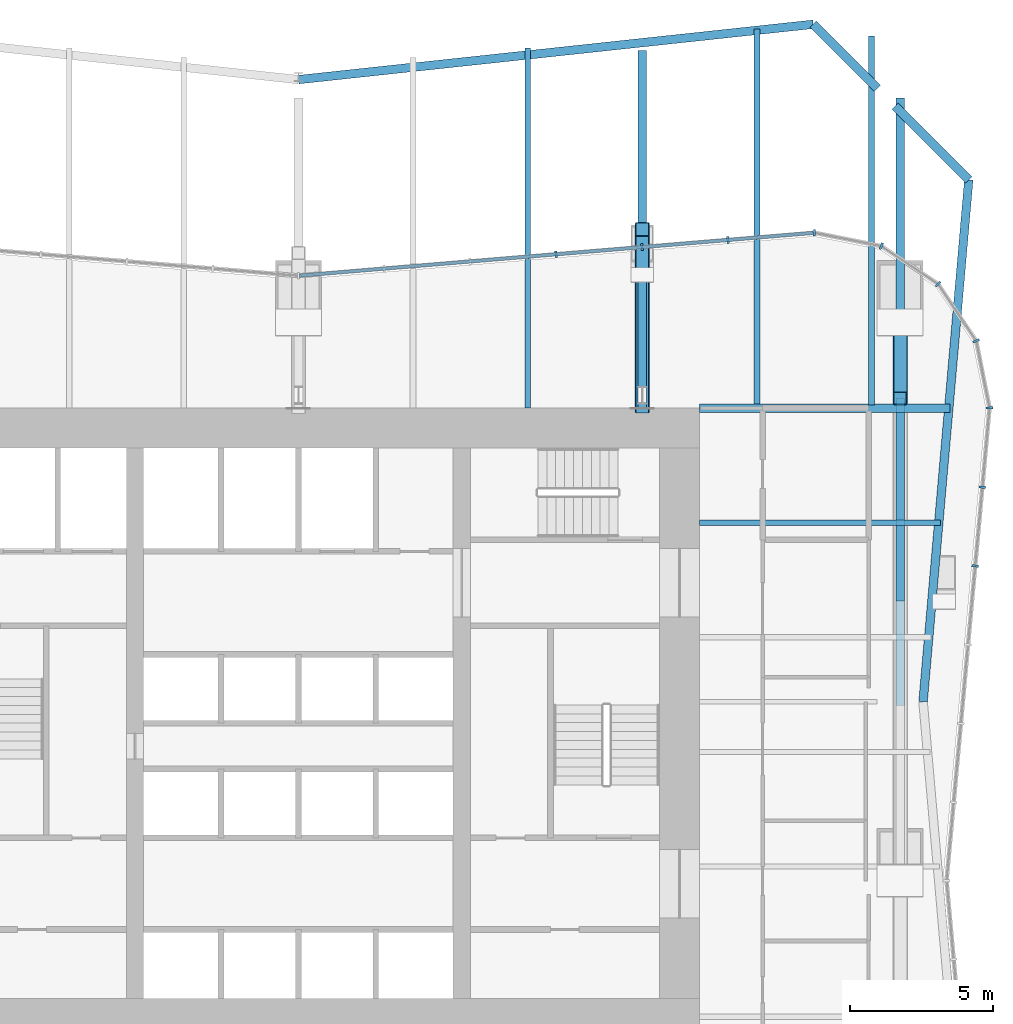
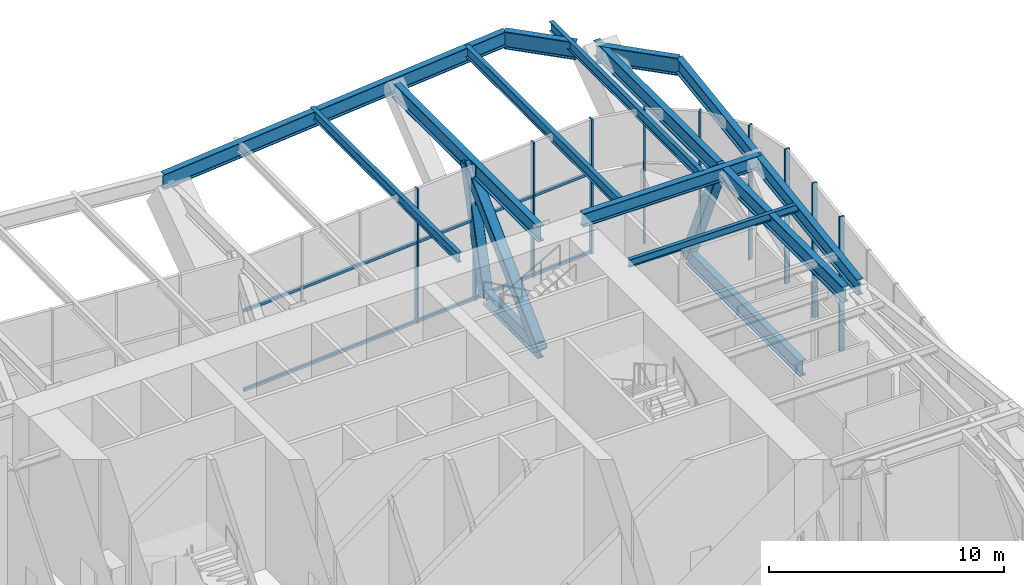
# One storey, part 9 of 17: 20 members, 9 beams, 3 elements without a shape of their own.
"""IFC4 building model written with IfcOpenShell, lengths in metres."""

from ifc_helpers import new_model, si_unit, direction, frame, origin, origin_2d, place, context, subcontext, project, spatial, rectangle, hollow_rectangle, i_section, extrude, material, material_profile, profile_set, type_object, element, aggregate, save


model = new_model("IFC4")

# Units and contexts
model_context = context("Model", 3, precision=1e-05, world=origin(), true_north=direction((0.0, 1.0)))
body_context = subcontext(model_context, "Body", "Model", "MODEL_VIEW")
ifc_project = project(units=[si_unit("LENGTHUNIT", "METRE"), si_unit("AREAUNIT", "SQUARE_METRE"), si_unit("VOLUMEUNIT", "CUBIC_METRE"), si_unit("PLANEANGLEUNIT", "RADIAN"), si_unit("MASSUNIT", "GRAM", prefix="KILO")], contexts=[model_context])

# Site, building, storey
site_placement = place(None, origin())
site = spatial("IfcSite", under=ifc_project, at=site_placement, CompositionType="ELEMENT")
building_placement = place(site_placement, origin())
building = spatial("IfcBuilding", under=site, at=building_placement, Name="Verdant Reach Tower", CompositionType="ELEMENT")
storey_placement = place(building_placement, frame((0.0, 0.0, 58.0)))
storey = spatial("IfcBuildingStorey", under=building, at=storey_placement, Name="L13 Plant", CompositionType="ELEMENT", Elevation=58.0)

# Curtain wall, members
ifc_material_1 = material(Name="Anodised aluminium", Category="aluminium")
curtain_wall_type = type_object("IfcCurtainWallType", Name="EN-CW SYSTEM PLANT", PredefinedType="NOTDEFINED", material=ifc_material_1)
curtain_wall_1_placement = place(storey_placement, origin())
curtain_wall_1 = element("IfcCurtainWall", 1, at=curtain_wall_1_placement, inside=storey, type_object=curtain_wall_type, Name="Curtain wall east, L13", PredefinedType="NOTDEFINED")
ifc_material_profile_1 = material_profile(ifc_material_1, rectangle(XDim=0.238037109375, YDim=0.080078125, at=origin_2d()), Name="Mullion 80x240")
ifc_profile_set_1 = profile_set([ifc_material_profile_1], Name="Anodised aluminium")
member_type_1 = type_object("IfcMemberType", Name="EN-MULLION PLANT", PredefinedType="MULLION", material=ifc_profile_set_1)
member_1_placement = place(storey_placement, frame((23.618408203125, 33.4892578125, -0.35009765625), z_axis=(0.0, 0.0, 1.0), x_axis=(0.995893206467, -0.090535746047, 0.0)))
member_1 = element("IfcMember", 2, at=member_1_placement, type_object=member_type_1, Name="Mullion east face part 2 5, L13", PredefinedType="MULLION", context=body_context, shape_type="SweptSolid", body=[
    extrude(rectangle(XDim=0.238037109375, YDim=0.080078125, at=origin_2d()), origin(), (0.0, 0.0, 1.0), 7.0),
])
member_2_placement = place(storey_placement, frame((23.868408203125, 36.2392578125, -0.35009765625), z_axis=(0.0, 0.0, 1.0), x_axis=(0.995893206467, -0.090535746047, 0.0)))
member_2 = element("IfcMember", 3, at=member_2_placement, type_object=member_type_1, Name="Mullion east face part 2 6, L13", PredefinedType="MULLION", context=body_context, shape_type="SweptSolid", body=[
    extrude(rectangle(XDim=0.238037109375, YDim=0.080078125, at=origin_2d()), origin(), (0.0, 0.0, 1.0), 7.0),
])
aggregate(curtain_wall_1, [member_1, member_2])

curtain_wall_2_placement = place(storey_placement, origin())
curtain_wall_2 = element("IfcCurtainWall", 4, at=curtain_wall_2_placement, inside=storey, type_object=curtain_wall_type, Name="Curtain wall north-east corner, L13", PredefinedType="NOTDEFINED")
member_3_placement = place(storey_placement, frame((24.118896484375, 39.00634765625, -0.35009765625), z_axis=(0.0, 0.0, 1.0), x_axis=(0.998604288049, 0.052815489107, 0.0)))
member_3 = element("IfcMember", 5, at=member_3_placement, type_object=member_type_1, Name="Mullion north-east corner 1, L13", PredefinedType="MULLION", context=body_context, shape_type="SweptSolid", body=[
    extrude(rectangle(XDim=0.238037109375, YDim=0.080078125, at=origin_2d()), origin(), (0.0, 0.0, 1.0), 7.0),
])
member_4_placement = place(storey_placement, frame((23.6533203125, 41.341552734375, -0.35009765625), z_axis=(0.0, 0.0, 1.0), x_axis=(0.923875215753, 0.382693853776, 0.0)))
member_4 = element("IfcMember", 6, at=member_4_placement, type_object=member_type_1, Name="Mullion north-east corner 2, L13", PredefinedType="MULLION", context=body_context, shape_type="SweptSolid", body=[
    extrude(rectangle(XDim=0.238037109375, YDim=0.080078125, at=origin_2d()), origin(), (0.0, 0.0, 1.0), 7.0),
])
member_5_placement = place(storey_placement, frame((22.32666015625, 43.32666015625, -0.35009765625), z_axis=(0.0, 0.0, 1.0), x_axis=(0.707106781187, 0.707106781187, 0.0)))
member_5 = element("IfcMember", 7, at=member_5_placement, type_object=member_type_1, Name="Mullion north-east corner 3, L13", PredefinedType="MULLION", context=body_context, shape_type="SweptSolid", body=[
    extrude(rectangle(XDim=0.238037109375, YDim=0.080078125, at=origin_2d()), origin(), (0.0, 0.0, 1.0), 7.0),
])
member_6_placement = place(storey_placement, frame((20.341552734375, 44.6533203125, -0.35009765625), z_axis=(0.0, 0.0, 1.0), x_axis=(0.382693853776, 0.923875215753, 0.0)))
member_6 = element("IfcMember", 8, at=member_6_placement, type_object=member_type_1, Name="Mullion north-east corner 4, L13", PredefinedType="MULLION", context=body_context, shape_type="SweptSolid", body=[
    extrude(rectangle(XDim=0.238037109375, YDim=0.080078125, at=origin_2d()), origin(), (0.0, 0.0, 1.0), 7.0),
])
aggregate(curtain_wall_2, [member_3, member_4, member_5, member_6])

curtain_wall_3_placement = place(storey_placement, origin())
curtain_wall_3 = element("IfcCurtainWall", 9, at=curtain_wall_3_placement, inside=storey, type_object=curtain_wall_type, Name="Curtain wall north, L13", PredefinedType="NOTDEFINED")
member_7_placement = place(storey_placement, frame((18.0068359375, 45.118896484375, -0.35009765625), z_axis=(0.0, 0.0, 1.0), x_axis=(0.056569187765, 0.998398681387, 0.0)))
member_7 = element("IfcMember", 10, at=member_7_placement, type_object=member_type_1, Name="Mullion north face part 1 1, L13", PredefinedType="MULLION", context=body_context, shape_type="SweptSolid", body=[
    extrude(rectangle(XDim=0.238037109375, YDim=0.080078125, at=origin_2d()), origin(), (0.0, 0.0, 1.0), 7.0),
])
member_8_placement = place(storey_placement, frame((14.990234375, 44.86865234375, -0.35009765625), z_axis=(0.0, 0.0, 1.0), x_axis=(-0.083045479859, 0.996545758244, 0.0)))
member_8 = element("IfcMember", 11, at=member_8_placement, type_object=member_type_1, Name="Mullion north face part 1 2, L13", PredefinedType="MULLION", context=body_context, shape_type="SweptSolid", body=[
    extrude(rectangle(XDim=0.238037109375, YDim=0.080078125, at=origin_2d()), origin(), (0.0, 0.0, 1.0), 7.0),
])
member_9_placement = place(storey_placement, frame((11.990234375, 44.61865234375, -0.35009765625), z_axis=(0.0, 0.0, 1.0), x_axis=(-0.083045479859, 0.996545758244, 0.0)))
member_9 = element("IfcMember", 12, at=member_9_placement, type_object=member_type_1, Name="Mullion north face part 1 3, L13", PredefinedType="MULLION", context=body_context, shape_type="SweptSolid", body=[
    extrude(rectangle(XDim=0.238037109375, YDim=0.080078125, at=origin_2d()), origin(), (0.0, 0.0, 1.0), 7.0),
])
member_10_placement = place(storey_placement, frame((8.990234375, 44.36865234375, -0.35009765625), z_axis=(0.0, 0.0, 1.0), x_axis=(-0.083045479859, 0.996545758244, 0.0)))
member_10 = element("IfcMember", 13, at=member_10_placement, type_object=member_type_1, Name="Mullion north face part 1 4, L13", PredefinedType="MULLION", context=body_context, shape_type="SweptSolid", body=[
    extrude(rectangle(XDim=0.238037109375, YDim=0.080078125, at=origin_2d()), origin(), (0.0, 0.0, 1.0), 7.0),
])
ifc_material_profile_2 = material_profile(ifc_material_1, rectangle(XDim=0.1201171875, YDim=0.14990234375, at=origin_2d()), Name="Transom 150x120")
ifc_profile_set_2 = profile_set([ifc_material_profile_2], Name="Anodised aluminium")
member_type_2 = type_object("IfcMemberType", Name="EN-TRANSOM PLANT", PredefinedType="USERDEFINED", material=ifc_profile_set_2)
member_11_placement = place(storey_placement, frame((17.966796875, 45.115478515625, -0.27490234375), z_axis=(-0.996549220477, -0.083003922598, 0.0), x_axis=(0.083003922598, -0.996549220477, 0.0)))
member_11 = element("IfcMember", 14, at=member_11_placement, type_object=member_type_2, Name="Transom north face part 1 1.1, L13", ObjectType="TRANSOM", PredefinedType="USERDEFINED", context=body_context, shape_type="SweptSolid", body=[
    extrude(rectangle(XDim=0.1201171875, YDim=0.14990234375, at=origin_2d()), origin(), (0.0, 0.0, 1.0), 17.989013671875),
])
member_12_placement = place(storey_placement, frame((17.966796875, 45.115478515625, 3.85009765625), z_axis=(-0.996549220477, -0.083003922598, 0.0), x_axis=(0.083003922598, -0.996549220477, 0.0)))
member_12 = element("IfcMember", 15, at=member_12_placement, type_object=member_type_2, Name="Transom north face part 1 1.2, L13", ObjectType="TRANSOM", PredefinedType="USERDEFINED", context=body_context, shape_type="SweptSolid", body=[
    extrude(rectangle(XDim=0.1201171875, YDim=0.14990234375, at=origin_2d()), origin(), (0.0, 0.0, 1.0), 17.989013671875),
])
aggregate(curtain_wall_3, [member_7, member_8, member_9, member_10, member_11, member_12])

# Beams
ifc_material_2 = material(Name="Steel S355", Category="steel")
ifc_material_profile_3 = material_profile(ifc_material_2, i_section(OverallWidth=0.300048828125, OverallDepth=0.699951171875, WebThickness=0.01708984375, FlangeThickness=0.031982421875, FilletRadius=0.027099609375, at=origin_2d()), Name="HEB 700")
ifc_profile_set_3 = profile_set([ifc_material_profile_3], Name="Steel S355")
beam_type_1 = type_object("IfcBeamType", Name="ST-BEAM-HEB700", PredefinedType="BEAM", material=ifc_profile_set_3)
beam_1_placement = place(storey_placement, frame((14.0, 39.0, 6.52001953125), z_axis=(1.0, 0.0, 0.0), x_axis=(0.0, 1.0, 0.0)))
element("IfcBeam", 16, at=beam_1_placement, inside=storey, type_object=beam_type_1, Name="Trimmer beam, L13 Plant", PredefinedType="BEAM", context=body_context, shape_type="SweptSolid", body=[
    extrude(i_section(OverallWidth=0.300048828125, OverallDepth=0.699951171875, WebThickness=0.01708984375, FlangeThickness=0.031982421875, FilletRadius=0.027099609375, at=origin_2d()), origin(), (0.0, 0.0, 1.0), 8.740478515625),
])
ifc_material_profile_4 = material_profile(ifc_material_2, i_section(OverallWidth=0.179931640625, OverallDepth=0.39990234375, WebThickness=0.008544921875, FlangeThickness=0.013427734375, FilletRadius=0.02099609375, at=origin_2d()), Name="IPE 400")
ifc_profile_set_4 = profile_set([ifc_material_profile_4], Name="Steel S355")
beam_type_2 = type_object("IfcBeamType", Name="ST-JOIST-IPE400", PredefinedType="JOIST", material=ifc_profile_set_4)
beam_2_placement = place(storey_placement, frame((14.0, 35.0, 6.669921875), z_axis=(1.0, 0.0, 0.0), x_axis=(0.0, 1.0, 0.0)))
element("IfcBeam", 17, at=beam_2_placement, inside=storey, type_object=beam_type_2, Name="Floor joist, L13 Plant", PredefinedType="JOIST", context=body_context, shape_type="SweptSolid", body=[
    extrude(i_section(OverallWidth=0.179931640625, OverallDepth=0.39990234375, WebThickness=0.008544921875, FlangeThickness=0.013427734375, FilletRadius=0.02099609375, at=origin_2d()), origin(), (0.0, 0.0, 1.0), 8.41162109375),
])
ifc_material_profile_5 = material_profile(ifc_material_2, i_section(OverallWidth=0.199951171875, OverallDepth=0.5, WebThickness=0.01025390625, FlangeThickness=0.01611328125, FilletRadius=0.02099609375, at=origin_2d()), Name="IPE 500")
ifc_profile_set_5 = profile_set([ifc_material_profile_5], Name="Steel S355")
beam_type_3 = type_object("IfcBeamType", Name="ST-JOIST-IPE500", PredefinedType="JOIST", material=ifc_profile_set_5)
beam_3_placement = place(storey_placement, frame((8.0, 39.0, 6.6201171875), z_axis=(0.0, 1.0, 0.0), x_axis=(-1.0, 0.0, 0.0)))
element("IfcBeam", 18, at=beam_3_placement, inside=storey, type_object=beam_type_3, Name="Floor joist, L13 Plant", PredefinedType="JOIST", context=body_context, shape_type="SweptSolid", body=[
    extrude(i_section(OverallWidth=0.199951171875, OverallDepth=0.5, WebThickness=0.01025390625, FlangeThickness=0.01611328125, FilletRadius=0.02099609375, at=origin_2d()), origin(), (0.0, 0.0, 1.0), 12.564697265625),
])
beam_4_placement = place(storey_placement, frame((20.0, 39.10009765625, 6.6201171875), z_axis=(0.0, 1.0, 0.0), x_axis=(-1.0, 0.0, 0.0)))
element("IfcBeam", 19, at=beam_4_placement, inside=storey, type_object=beam_type_3, Name="Floor joist, L13 Plant", PredefinedType="JOIST", context=body_context, shape_type="SweptSolid", body=[
    extrude(i_section(OverallWidth=0.199951171875, OverallDepth=0.5, WebThickness=0.01025390625, FlangeThickness=0.01611328125, FilletRadius=0.02099609375, at=origin_2d()), origin(), (0.0, 0.0, 1.0), 12.890380859375),
])
ifc_material_profile_6 = material_profile(ifc_material_2, i_section(OverallWidth=0.2099609375, OverallDepth=0.550048828125, WebThickness=0.010986328125, FlangeThickness=0.01708984375, FilletRadius=0.02392578125, at=origin_2d()), Name="IPE 550")
ifc_profile_set_6 = profile_set([ifc_material_profile_6], Name="Steel S355")
beam_type_4 = type_object("IfcBeamType", Name="ST-JOIST-IPE550", PredefinedType="JOIST", material=ifc_profile_set_6)
beam_5_placement = place(storey_placement, frame((16.0, 39.10009765625, 6.594970703125), z_axis=(0.0, 1.0, 0.0), x_axis=(-1.0, 0.0, 0.0)))
element("IfcBeam", 20, at=beam_5_placement, inside=storey, type_object=beam_type_4, Name="Floor joist, L13 Plant", PredefinedType="JOIST", context=body_context, shape_type="SweptSolid", body=[
    extrude(i_section(OverallWidth=0.2099609375, OverallDepth=0.550048828125, WebThickness=0.010986328125, FlangeThickness=0.01708984375, FilletRadius=0.02392578125, at=origin_2d()), origin(), (0.0, 0.0, 1.0), 13.131103515625),
])
ifc_material_profile_7 = material_profile(ifc_material_2, i_section(OverallWidth=0.300048828125, OverallDepth=0.800048828125, WebThickness=0.017578125, FlangeThickness=0.032958984375, FilletRadius=0.030029296875, at=origin_2d()), Name="HEB 800")
ifc_profile_set_7 = profile_set([ifc_material_profile_7], Name="Steel S355")
beam_type_5 = type_object("IfcBeamType", Name="ST-SPANDREL-HEB800", PredefinedType="SPANDREL", material=ifc_profile_set_7)
beam_6_placement = place(storey_placement, frame((0.0, 50.464111328125, 6.469970703125), z_axis=(0.994273932726, 0.106861343343, 0.0), x_axis=(-0.106861343343, 0.994273932726, 0.0)))
element("IfcBeam", 21, at=beam_6_placement, inside=storey, type_object=beam_type_5, Name="Edge beam, L13 Plant", PredefinedType="SPANDREL", context=body_context, shape_type="SweptSolid", body=[
    extrude(i_section(OverallWidth=0.300048828125, OverallDepth=0.800048828125, WebThickness=0.017578125, FlangeThickness=0.032958984375, FilletRadius=0.030029296875, at=origin_2d()), origin(), (0.0, 0.0, 1.0), 18.0693359375),
])
beam_7_placement = place(storey_placement, frame((23.39501953125, 46.96533203125, 6.469970703125), z_axis=(-0.087228233643, -0.996188353302, 0.0), x_axis=(0.996188353302, -0.087228233643, 0.0)))
element("IfcBeam", 22, at=beam_7_placement, inside=storey, type_object=beam_type_5, Name="Edge beam, L13 Plant", PredefinedType="SPANDREL", context=body_context, shape_type="SweptSolid", body=[
    extrude(i_section(OverallWidth=0.300048828125, OverallDepth=0.800048828125, WebThickness=0.017578125, FlangeThickness=0.032958984375, FilletRadius=0.030029296875, at=origin_2d()), origin(), (0.0, 0.0, 1.0), 18.284912109375),
])
ifc_material_profile_8 = material_profile(ifc_material_2, i_section(OverallWidth=0.302001953125, OverallDepth=0.909912109375, WebThickness=0.02099609375, FlangeThickness=0.0400390625, FilletRadius=0.030029296875, at=origin_2d()), Name="HEM 900")
ifc_profile_set_8 = profile_set([ifc_material_profile_8], Name="Steel S355")
beam_type_6 = type_object("IfcBeamType", Name="ST-SPANDREL-HEM900", PredefinedType="SPANDREL", material=ifc_profile_set_8)
beam_8_placement = place(storey_placement, frame((17.9658203125, 52.39501953125, 6.4150390625), z_axis=(0.70706814675, -0.707145413513, 0.0), x_axis=(0.707145413513, 0.70706814675, 0.0)))
element("IfcBeam", 23, at=beam_8_placement, inside=storey, type_object=beam_type_6, Name="Edge beam, L13 Plant", PredefinedType="SPANDREL", context=body_context, shape_type="SweptSolid", body=[
    extrude(i_section(OverallWidth=0.302001953125, OverallDepth=0.909912109375, WebThickness=0.02099609375, FlangeThickness=0.0400390625, FilletRadius=0.030029296875, at=origin_2d()), origin(), (0.0, 0.0, 1.0), 3.15966796875),
])
beam_9_placement = place(storey_placement, frame((20.82470703125, 49.535888671875, 6.4150390625), z_axis=(0.707073199785, -0.707140360993, 0.0), x_axis=(0.707140360993, 0.707073199785, 0.0)))
element("IfcBeam", 24, at=beam_9_placement, inside=storey, type_object=beam_type_6, Name="Edge beam, L13 Plant", PredefinedType="SPANDREL", context=body_context, shape_type="SweptSolid", body=[
    extrude(i_section(OverallWidth=0.302001953125, OverallDepth=0.909912109375, WebThickness=0.02099609375, FlangeThickness=0.0400390625, FilletRadius=0.030029296875, at=origin_2d()), origin(), (0.0, 0.0, 1.0), 3.63525390625),
])

# Members
ifc_material_3 = material(Name="Steel S460", Category="steel")
ifc_material_profile_9 = material_profile(ifc_material_3, hollow_rectangle(XDim=0.5, YDim=0.5, WallThickness=0.02490234375, InnerFilletRadius=0.02490234375, OuterFilletRadius=0.050048828125, at=origin_2d()), Name="RHS 500x500x25")
ifc_profile_set_9 = profile_set([ifc_material_profile_9], Name="Steel S460")
member_type_3 = type_object("IfcMemberType", Name="ST-TRUSS-BRACE-RHS500x500x25", PredefinedType="BRACE", material=ifc_profile_set_9)
member_13_placement = place(storey_placement, frame((12.0, 39.0, 0.406982421875), z_axis=(0.0, 0.717421735235, 0.696639113036), x_axis=(-1.0, 0.0, 0.0)))
element("IfcMember", 25, at=member_13_placement, inside=storey, type_object=member_type_3, Name="Outrigger truss E north, diagonal, L13 Plant", PredefinedType="BRACE", context=body_context, shape_type="SweptSolid", body=[
    extrude(hollow_rectangle(XDim=0.5, YDim=0.5, WallThickness=0.02490234375, InnerFilletRadius=0.02490234375, OuterFilletRadius=0.050048828125, at=origin_2d()), origin(), (0.0, 0.0, 1.0), 8.693115234375),
])
member_14_placement = place(storey_placement, frame((12.0, 45.236572265625, 6.462890625), z_axis=(0.0, -0.252097907741, -0.967701733445), x_axis=(1.0, 0.0, 0.0)))
element("IfcMember", 26, at=member_14_placement, inside=storey, type_object=member_type_3, Name="Outrigger truss E north, diagonal, L13 Plant", PredefinedType="BRACE", context=body_context, shape_type="SweptSolid", body=[
    extrude(hollow_rectangle(XDim=0.5, YDim=0.5, WallThickness=0.02490234375, InnerFilletRadius=0.02490234375, OuterFilletRadius=0.050048828125, at=origin_2d()), origin(), (0.0, 0.0, 1.0), 6.258056640625),
])
member_15_placement = place(storey_placement, frame((21.0, 39.33984375, 6.462890625), z_axis=(0.0, 0.403319577084, -0.915059188655), x_axis=(-1.0, 0.0, 0.0)))
element("IfcMember", 27, at=member_15_placement, inside=storey, type_object=member_type_3, Name="Transfer truss F east, diagonal, L13 Plant", PredefinedType="BRACE", context=body_context, shape_type="SweptSolid", body=[
    extrude(hollow_rectangle(XDim=0.5, YDim=0.5, WallThickness=0.02490234375, InnerFilletRadius=0.02490234375, OuterFilletRadius=0.050048828125, at=origin_2d()), origin(), (0.0, 0.0, 1.0), 6.6181640625),
])
ifc_material_profile_10 = material_profile(ifc_material_3, i_section(OverallWidth=0.302978515625, OverallDepth=0.81396484375, WebThickness=0.02099609375, FlangeThickness=0.0400390625, FilletRadius=0.030029296875, at=origin_2d()), Name="HEM 800")
ifc_profile_set_10 = profile_set([ifc_material_profile_10], Name="Steel S460")
member_type_4 = type_object("IfcMemberType", Name="ST-TRUSS-CHORD-HEM800", PredefinedType="CHORD", material=ifc_profile_set_10)
member_16_placement = place(storey_placement, frame((12.0, 39.0, 6.462890625), z_axis=(0.0, 1.0, 0.0), x_axis=(-1.0, 0.0, 0.0)))
element("IfcMember", 28, at=member_16_placement, inside=storey, type_object=member_type_4, Name="Outrigger truss E north, top chord, L13 Plant", PredefinedType="CHORD", context=body_context, shape_type="SweptSolid", body=[
    extrude(i_section(OverallWidth=0.302978515625, OverallDepth=0.81396484375, WebThickness=0.02099609375, FlangeThickness=0.0400390625, FilletRadius=0.030029296875, at=origin_2d()), origin(), (0.0, 0.0, 1.0), 12.47314453125),
])
member_17_placement = place(storey_placement, frame((12.0, 39.0, 0.406982421875), z_axis=(0.0, 1.0, 0.0), x_axis=(-1.0, 0.0, 0.0)))
element("IfcMember", 29, at=member_17_placement, inside=storey, type_object=member_type_4, Name="Outrigger truss E north, bottom chord, L13 Plant", PredefinedType="CHORD", context=body_context, shape_type="SweptSolid", body=[
    extrude(i_section(OverallWidth=0.302978515625, OverallDepth=0.81396484375, WebThickness=0.02099609375, FlangeThickness=0.0400390625, FilletRadius=0.030029296875, at=origin_2d()), origin(), (0.0, 0.0, 1.0), 4.658935546875),
])
member_18_placement = place(storey_placement, frame((21.0, 28.61181640625, 6.462890625), z_axis=(0.0, 1.0, 0.0), x_axis=(-1.0, 0.0, 0.0)))
element("IfcMember", 30, at=member_18_placement, inside=storey, type_object=member_type_4, Name="Transfer truss F east, top chord, L13 Plant", PredefinedType="CHORD", context=body_context, shape_type="SweptSolid", body=[
    extrude(i_section(OverallWidth=0.302978515625, OverallDepth=0.81396484375, WebThickness=0.02099609375, FlangeThickness=0.0400390625, FilletRadius=0.030029296875, at=origin_2d()), origin(), (0.0, 0.0, 1.0), 10.72802734375),
])
member_19_placement = place(storey_placement, frame((21.0, 39.33984375, 6.462890625), z_axis=(0.0, 1.0, 0.0), x_axis=(-1.0, 0.0, 0.0)))
element("IfcMember", 31, at=member_19_placement, inside=storey, type_object=member_type_4, Name="Transfer truss F east, top chord, L13 Plant", PredefinedType="CHORD", context=body_context, shape_type="SweptSolid", body=[
    extrude(i_section(OverallWidth=0.302978515625, OverallDepth=0.81396484375, WebThickness=0.02099609375, FlangeThickness=0.0400390625, FilletRadius=0.030029296875, at=origin_2d()), origin(), (0.0, 0.0, 1.0), 10.4833984375),
])
member_20_placement = place(storey_placement, frame((21.0, 32.25830078125, 0.406982421875), z_axis=(0.0, 1.0, 0.0), x_axis=(-1.0, 0.0, 0.0)))
element("IfcMember", 32, at=member_20_placement, inside=storey, type_object=member_type_4, Name="Transfer truss F east, bottom chord, L13 Plant", PredefinedType="CHORD", context=body_context, shape_type="SweptSolid", body=[
    extrude(i_section(OverallWidth=0.302978515625, OverallDepth=0.81396484375, WebThickness=0.02099609375, FlangeThickness=0.0400390625, FilletRadius=0.030029296875, at=origin_2d()), origin(), (0.0, 0.0, 1.0), 9.750732421875),
])

save(model, "model.ifc")
